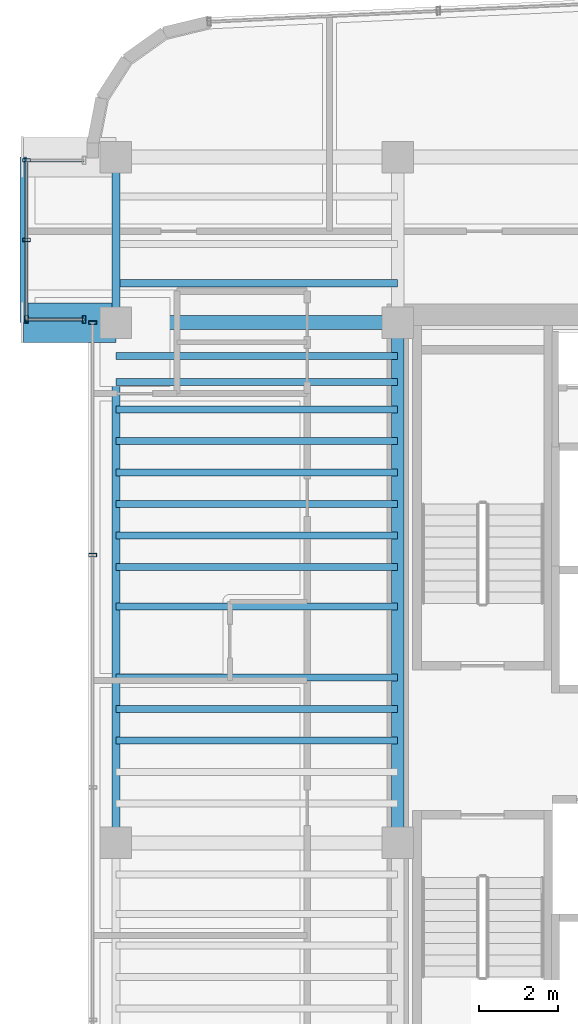
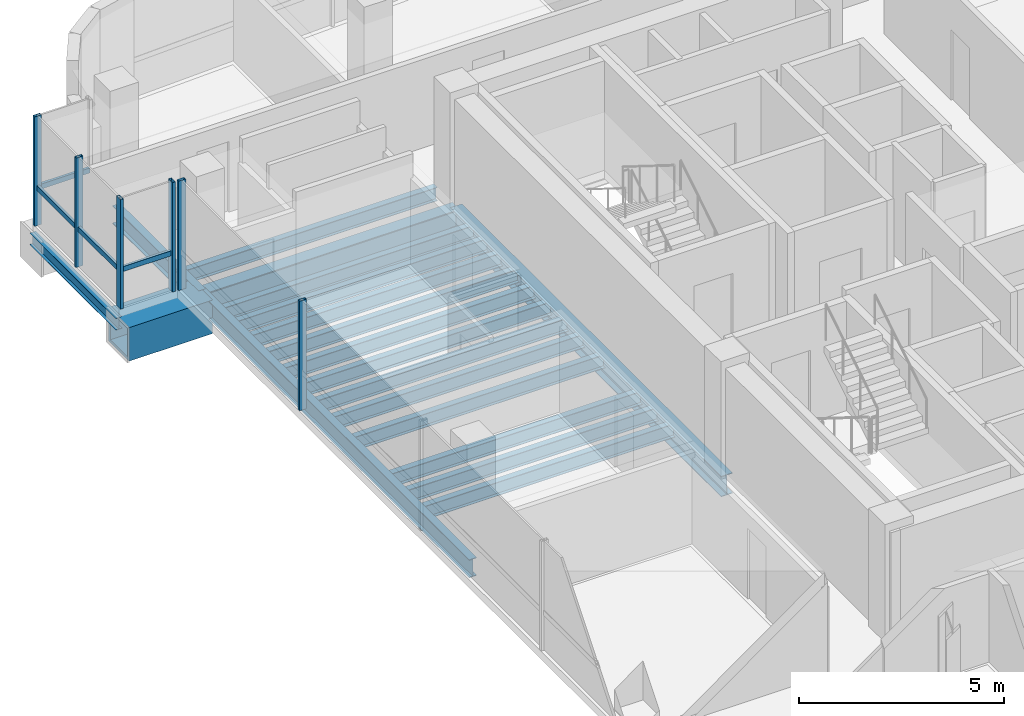
# One storey, part 7 of 21: 19 beams, 9 members, 4 elements without a shape of their own.
"""IFC4 building model written with IfcOpenShell, lengths in metres."""

from ifc_helpers import new_model, si_unit, direction, frame, origin, origin_2d, place, context, subcontext, project, spatial, hollow_rectangle, i_section, extrude, source, transform, mapped, material, material_profile, profile_set, type_object, element, aggregate, save


model = new_model("IFC4")

# Units and contexts
model_context = context("Model", 3, precision=1e-05, world=origin(), true_north=direction((0.0, 1.0)))
body_context = subcontext(model_context, "Body", "Model", "MODEL_VIEW")
ifc_project = project(units=[si_unit("LENGTHUNIT", "METRE"), si_unit("AREAUNIT", "SQUARE_METRE"), si_unit("VOLUMEUNIT", "CUBIC_METRE"), si_unit("PLANEANGLEUNIT", "RADIAN"), si_unit("MASSUNIT", "GRAM", prefix="KILO")], contexts=[model_context])

# Site, building, storey
site_placement = place(None, origin())
site = spatial("IfcSite", under=ifc_project, at=site_placement, CompositionType="ELEMENT")
building_placement = place(site_placement, origin())
building = spatial("IfcBuilding", under=site, at=building_placement, Name="Valdorenza Pilgrim Sanctuary Tower", CompositionType="ELEMENT")
storey_placement = place(building_placement, frame((0.0, 0.0, 254.5)))
storey = spatial("IfcBuildingStorey", under=building, at=storey_placement, Name="L66", CompositionType="ELEMENT", Elevation=254.5)

# Beams
ifc_material_1 = material(Name="Steel ASTM A992 Grade 50", Category="steel")
ifc_material_profile_1 = material_profile(ifc_material_1, i_section(OverallWidth=0.323974609375, OverallDepth=0.611083984375, WebThickness=0.0126953125, FlangeThickness=0.01904296875, at=origin_2d()), Name="W24X104")
ifc_profile_set_1 = profile_set([ifc_material_profile_1], Name="Steel ASTM A992 Grade 50")
beam_type_1 = type_object("IfcBeamType", Name="STR-BM-GRD-W24B", PredefinedType="BEAM", material=ifc_profile_set_1)
shared_shape_1 = source(origin(), body_context, "Body", "SweptSolid", [
    extrude(i_section(OverallWidth=0.323974609375, OverallDepth=0.611083984375, WebThickness=0.0126953125, FlangeThickness=0.01904296875, at=origin_2d()), origin(), (0.0, 0.0, 1.0), 13.2001953125),
])
beam_1_placement = place(storey_placement, frame((-22.64990234375, -2.60009765625, -0.54541015625), z_axis=(0.0, 1.0, 0.0), x_axis=(-1.0, 0.0, 0.0)))
element("IfcBeam", 1, at=beam_1_placement, inside=storey, type_object=beam_type_1, Name="L66 Core Tie Girder CA-W-M0N1", PredefinedType="BEAM", context=body_context, shape_type="MappedRepresentation", body=[
    mapped(shared_shape_1, transform((0.0, 0.0, 0.0), x_axis=(1.0, 0.0, 0.0), y_axis=(0.0, 1.0, 0.0), z_axis=(0.0, 0.0, 1.0), scale=1.0)),
])
ifc_material_profile_2 = material_profile(ifc_material_1, i_section(OverallWidth=0.1708984375, OverallDepth=0.35107421875, WebThickness=0.0068359375, FlangeThickness=0.009765625, at=origin_2d()), Name="W14X30")
ifc_profile_set_2 = profile_set([ifc_material_profile_2], Name="Steel ASTM A992 Grade 50")
beam_type_2 = type_object("IfcBeamType", Name="STR-BM-BOX-W14", PredefinedType="BEAM", material=ifc_profile_set_2)
shared_shape_2 = source(origin(), body_context, "Body", "SweptSolid", [
    extrude(i_section(OverallWidth=0.1708984375, OverallDepth=0.35107421875, WebThickness=0.0068359375, FlangeThickness=0.009765625, at=origin_2d()), origin(), (0.0, 0.0, 1.0), 4.199951171875),
])
beam_2_placement = place(storey_placement, frame((-32.14990234375, 10.60009765625, -0.41552734375), z_axis=(0.0, 1.0, 0.0), x_axis=(-1.0, 0.0, 0.0)))
element("IfcBeam", 2, at=beam_2_placement, inside=storey, type_object=beam_type_2, Name="L66 Glass Box Edge Beam BOX-WA-L66-F", PredefinedType="BEAM", context=body_context, shape_type="MappedRepresentation", body=[
    mapped(shared_shape_2, transform((0.0, 0.0, 0.0), x_axis=(1.0, 0.0, 0.0), y_axis=(0.0, 1.0, 0.0), z_axis=(0.0, 0.0, 1.0), scale=1.0)),
])
ifc_material_profile_3 = material_profile(ifc_material_1, i_section(OverallWidth=0.2109375, OverallDepth=0.5390625, WebThickness=0.01171875, FlangeThickness=0.018798828125, at=origin_2d()), Name="W21X73")
ifc_profile_set_3 = profile_set([ifc_material_profile_3], Name="Steel ASTM A992 Grade 50")
beam_type_3 = type_object("IfcBeamType", Name="STR-BM-SPN-W21B", PredefinedType="SPANDREL", material=ifc_profile_set_3)
shared_shape_3 = source(origin(), body_context, "Body", "SweptSolid", [
    extrude(i_section(OverallWidth=0.2109375, OverallDepth=0.5390625, WebThickness=0.01171875, FlangeThickness=0.018798828125, at=origin_2d()), origin(), (0.0, 0.0, 1.0), 13.2001953125),
])
beam_3_placement = place(storey_placement, frame((-29.800048828125, -2.60009765625, -0.509521484375), z_axis=(0.0, 1.0, 0.0), x_axis=(-1.0, 0.0, 0.0)))
element("IfcBeam", 3, at=beam_3_placement, inside=storey, type_object=beam_type_3, Name="L66 Spandrel Beam WA-W-M0N1", PredefinedType="SPANDREL", context=body_context, shape_type="MappedRepresentation", body=[
    mapped(shared_shape_3, transform((0.0, 0.0, 0.0), x_axis=(1.0, 0.0, 0.0), y_axis=(0.0, 1.0, 0.0), z_axis=(0.0, 0.0, 1.0), scale=1.0)),
])
shared_shape_4 = source(origin(), body_context, "Body", "SweptSolid", [
    extrude(i_section(OverallWidth=0.2109375, OverallDepth=0.5390625, WebThickness=0.01171875, FlangeThickness=0.018798828125, at=origin_2d()), origin(), (0.0, 0.0, 1.0), 4.199951171875),
])
beam_4_placement = place(storey_placement, frame((-29.800048828125, 10.60009765625, -0.509521484375), z_axis=(0.0, 1.0, 0.0), x_axis=(-1.0, 0.0, 0.0)))
element("IfcBeam", 4, at=beam_4_placement, inside=storey, type_object=beam_type_3, Name="L66 Spandrel Beam WA-W-N1N2", PredefinedType="SPANDREL", context=body_context, shape_type="MappedRepresentation", body=[
    mapped(shared_shape_4, transform((0.0, 0.0, 0.0), x_axis=(1.0, 0.0, 0.0), y_axis=(0.0, 1.0, 0.0), z_axis=(0.0, 0.0, 1.0), scale=1.0)),
])
ifc_material_profile_4 = material_profile(ifc_material_1, i_section(OverallWidth=0.35595703125, OverallDepth=0.700927734375, WebThickness=0.016845703125, FlangeThickness=0.02734375, at=origin_2d()), Name="W27X161")
ifc_profile_set_4 = profile_set([ifc_material_profile_4], Name="Steel ASTM A992 Grade 50")
beam_type_4 = type_object("IfcBeamType", Name="STR-BM-GRD-W27", PredefinedType="BEAM", material=ifc_profile_set_4)
shared_shape_5 = source(origin(), body_context, "Body", "SweptSolid", [
    extrude(i_section(OverallWidth=0.35595703125, OverallDepth=0.700927734375, WebThickness=0.016845703125, FlangeThickness=0.02734375, at=origin_2d()), origin(), (0.0, 0.0, 1.0), 7.150146484375),
])
beam_5_placement = place(storey_placement, frame((-29.800048828125, 10.60009765625, -0.590576171875), z_axis=(1.0, 0.0, 0.0), x_axis=(0.0, 1.0, 0.0)))
element("IfcBeam", 5, at=beam_5_placement, inside=storey, type_object=beam_type_4, Name="L66 Floor Girder WA-XW-N1", PredefinedType="BEAM", context=body_context, shape_type="MappedRepresentation", body=[
    mapped(shared_shape_5, transform((0.0, 0.0, 0.0), x_axis=(1.0, 0.0, 0.0), y_axis=(0.0, 1.0, 0.0), z_axis=(0.0, 0.0, 1.0), scale=1.0)),
])
ifc_material_profile_5 = material_profile(ifc_material_1, i_section(OverallWidth=0.177978515625, OverallDepth=0.406005859375, WebThickness=0.0078125, FlangeThickness=0.0126953125, at=origin_2d()), Name="W16X40")
ifc_profile_set_5 = profile_set([ifc_material_profile_5], Name="Steel ASTM A992 Grade 50")
beam_type_5 = type_object("IfcBeamType", Name="STR-BM-JST-W16", PredefinedType="JOIST", material=ifc_profile_set_5)
shared_shape_6 = source(origin(), body_context, "Body", "SweptSolid", [
    extrude(i_section(OverallWidth=0.177978515625, OverallDepth=0.406005859375, WebThickness=0.0078125, FlangeThickness=0.0126953125, at=origin_2d()), origin(), (0.0, 0.0, 1.0), 7.150146484375),
])
for number, where, z_axis, x_axis, name in (
    (6, (-29.800048828125, 0.0, -0.443115234375), (1.0, 0.0, 0.0), (0.0, 1.0, 0.0), "L66 Composite Floor Joist JST-WA-12"),
    (7, (-29.800048828125, 0.800048828125, -0.443115234375), (1.0, 0.0, 0.0), (0.0, 1.0, 0.0), "L66 Composite Floor Joist JST-WA-13"),
    (8, (-29.800048828125, 1.60009765625, -0.443115234375), (1.0, 0.0, 0.0), (0.0, 1.0, 0.0), "L66 Composite Floor Joist JST-WA-14"),
    (9, (-29.800048828125, 3.39990234375, -0.443115234375), (1.0, 0.0, 0.0), (0.0, 1.0, 0.0), "L66 Composite Floor Joist JST-WA-15"),
    (10, (-29.800048828125, 4.39990234375, -0.443115234375), (1.0, 0.0, 0.0), (0.0, 1.0, 0.0), "L66 Composite Floor Joist JST-WA-16"),
    (11, (-29.800048828125, 5.199951171875, -0.443115234375), (1.0, 0.0, 0.0), (0.0, 1.0, 0.0), "L66 Composite Floor Joist JST-WA-17"),
    (12, (-29.800048828125, 6.0, -0.443115234375), (1.0, 0.0, 0.0), (0.0, 1.0, 0.0), "L66 Composite Floor Joist JST-WA-18"),
    (13, (-29.800048828125, 6.800048828125, -0.443115234375), (1.0, 0.0, 0.0), (0.0, 1.0, 0.0), "L66 Composite Floor Joist JST-WA-19"),
    (14, (-29.800048828125, 7.60009765625, -0.443115234375), (1.0, 0.0, 0.0), (0.0, 1.0, 0.0), "L66 Composite Floor Joist JST-WA-20"),
    (15, (-29.800048828125, 8.39990234375, -0.443115234375), (1.0, 0.0, 0.0), (0.0, 1.0, 0.0), "L66 Composite Floor Joist JST-WA-21"),
    (16, (-29.800048828125, 9.10009765625, -0.443115234375), (1.0, 0.0, 0.0), (0.0, 1.0, 0.0), "L66 Composite Floor Joist JST-WA-22"),
    (17, (-29.800048828125, 9.75, -0.443115234375), (1.0, 0.0, 0.0), (0.0, 1.0, 0.0), "L66 Composite Floor Joist JST-WA-23"),
    (18, (-29.800048828125, 11.60009765625, -0.443115234375), (1.0, 0.0, 0.0), (0.0, 1.0, 0.0), "L66 Composite Floor Joist JST-WA-24"),
):
    element("IfcBeam", number, at=place(storey_placement, frame(where, z_axis=z_axis, x_axis=x_axis)), inside=storey, type_object=beam_type_5, Name=name, PredefinedType="JOIST", context=body_context, shape_type="MappedRepresentation", body=[
        mapped(shared_shape_6, transform((0.0, 0.0, 0.0), x_axis=(1.0, 0.0, 0.0), y_axis=(0.0, 1.0, 0.0), z_axis=(0.0, 0.0, 1.0), scale=1.0)),
    ])
ifc_material_2 = material(Name="Steel ASTM A572 Grade 42", Category="steel")
ifc_material_profile_6 = material_profile(ifc_material_2, hollow_rectangle(XDim=1.0, YDim=1.0, WallThickness=0.080078125, at=origin_2d()), Name="BOX 1000x1000x80")
ifc_profile_set_6 = profile_set([ifc_material_profile_6], Name="Steel ASTM A572 Grade 42")
beam_type_6 = type_object("IfcBeamType", Name="STR-BM-PROW-CANT", PredefinedType="BEAM", material=ifc_profile_set_6)
shared_shape_7 = source(origin(), body_context, "Body", "SweptSolid", [
    extrude(hollow_rectangle(XDim=1.0, YDim=1.0, WallThickness=0.080078125, at=origin_2d()), origin(), (0.0, 0.0, 1.0), 2.349853515625),
])
beam_6_placement = place(storey_placement, frame((-29.800048828125, 10.60009765625, -0.739990234375), z_axis=(-1.0, 0.0, 0.0), x_axis=(0.0, -1.0, 0.0)))
element("IfcBeam", 19, at=beam_6_placement, inside=storey, type_object=beam_type_6, Name="L66 Glass Box Cantilever Beam BOX-WA-L66-CT-S", PredefinedType="BEAM", context=body_context, shape_type="MappedRepresentation", body=[
    mapped(shared_shape_7, transform((0.0, 0.0, 0.0), x_axis=(1.0, 0.0, 0.0), y_axis=(0.0, 1.0, 0.0), z_axis=(0.0, 0.0, 1.0), scale=1.0)),
])

# Curtain wall, member
ifc_material_3 = material(Name="Curtain-wall IGU glazing", Category="glass")
curtain_wall_type = type_object("IfcCurtainWallType", Name="CW-SYS-02", PredefinedType="NOTDEFINED", material=ifc_material_3)
curtain_wall_1_placement = place(storey_placement, origin())
curtain_wall_1 = element("IfcCurtainWall", 20, at=curtain_wall_1_placement, inside=storey, type_object=curtain_wall_type, Name="L66 Curtain Wall CW-L66-BOX-WA-L66-S", PredefinedType="NOTDEFINED")
ifc_material_4 = material(Name="Anodised aluminium AW-6060", Category="aluminium")
ifc_material_profile_7 = material_profile(ifc_material_4, hollow_rectangle(XDim=0.074951171875, YDim=0.14990234375, WallThickness=0.00390625, at=origin_2d()), Name="ALU-T 150x75x4")
ifc_profile_set_7 = profile_set([ifc_material_profile_7], Name="Anodised aluminium AW-6060")
member_type_1 = type_object("IfcMemberType", Name="CW-TRN-02", PredefinedType="USERDEFINED", material=ifc_profile_set_7)
shared_shape_8 = source(origin(), body_context, "Body", "SweptSolid", [
    extrude(hollow_rectangle(XDim=0.074951171875, YDim=0.14990234375, WallThickness=0.00390625, at=origin_2d()), origin(), (0.0, 0.0, 1.0), 1.4599609375),
])
member_1_placement = place(storey_placement, frame((-30.610107421875, 10.679931640625, 1.1201171875), z_axis=(-1.0, 0.0, 0.0), x_axis=(0.0, -1.0, 0.0)))
member_1 = element("IfcMember", 21, at=member_1_placement, type_object=member_type_1, Name="CW-L66-BOX-WA-L66-S Transom 1", ObjectType="TRANSOM", PredefinedType="USERDEFINED", context=body_context, shape_type="MappedRepresentation", body=[
    mapped(shared_shape_8, transform((0.0, 0.0, 0.0), x_axis=(1.0, 0.0, 0.0), y_axis=(0.0, 1.0, 0.0), z_axis=(0.0, 0.0, 1.0), scale=1.0)),
])

curtain_wall_2_placement = place(storey_placement, origin())
curtain_wall_2 = element("IfcCurtainWall", 22, at=curtain_wall_2_placement, inside=storey, type_object=curtain_wall_type, Name="L66 Curtain Wall CW-L66-BOX-WA-L66-N", PredefinedType="NOTDEFINED")
member_2_placement = place(storey_placement, frame((-32.070068359375, 14.719970703125, 1.1201171875), z_axis=(1.0, 0.0, 0.0), x_axis=(0.0, 1.0, 0.0)))
member_2 = element("IfcMember", 23, at=member_2_placement, type_object=member_type_1, Name="CW-L66-BOX-WA-L66-N Transom 1", ObjectType="TRANSOM", PredefinedType="USERDEFINED", context=body_context, shape_type="MappedRepresentation", body=[
    mapped(shared_shape_8, transform((0.0, 0.0, 0.0), x_axis=(1.0, 0.0, 0.0), y_axis=(0.0, 1.0, 0.0), z_axis=(0.0, 0.0, 1.0), scale=1.0)),
])
aggregate(curtain_wall_2, [member_2])

curtain_wall_3_placement = place(storey_placement, origin())
curtain_wall_3 = element("IfcCurtainWall", 24, at=curtain_wall_3_placement, inside=storey, type_object=curtain_wall_type, Name="L66 Curtain Wall CW-L66-BOX-WA-L66-F", PredefinedType="NOTDEFINED")
shared_shape_9 = source(origin(), body_context, "Body", "SweptSolid", [
    extrude(hollow_rectangle(XDim=0.074951171875, YDim=0.14990234375, WallThickness=0.00390625, at=origin_2d()), origin(), (0.0, 0.0, 1.0), 4.0400390625),
])
member_3_placement = place(storey_placement, frame((-32.070068359375, 10.679931640625, 1.1201171875), z_axis=(0.0, 1.0, 0.0), x_axis=(-1.0, 0.0, 0.0)))
member_3 = element("IfcMember", 25, at=member_3_placement, type_object=member_type_1, Name="CW-L66-BOX-WA-L66-F Transom 1", ObjectType="TRANSOM", PredefinedType="USERDEFINED", context=body_context, shape_type="MappedRepresentation", body=[
    mapped(shared_shape_9, transform((0.0, 0.0, 0.0), x_axis=(1.0, 0.0, 0.0), y_axis=(0.0, 1.0, 0.0), z_axis=(0.0, 0.0, 1.0), scale=1.0)),
])

# Curtain wall, members
curtain_wall_4_placement = place(storey_placement, origin())
curtain_wall_4 = element("IfcCurtainWall", 26, at=curtain_wall_4_placement, inside=storey, type_object=curtain_wall_type, Name="L66 Curtain Wall CW-L66-1-1S1", PredefinedType="NOTDEFINED")
ifc_material_profile_8 = material_profile(ifc_material_4, hollow_rectangle(XDim=0.0849609375, YDim=0.199951171875, WallThickness=0.0048828125, at=origin_2d()), Name="ALU-M 200x85x5")
ifc_profile_set_8 = profile_set([ifc_material_profile_8], Name="Anodised aluminium AW-6060")
member_type_2 = type_object("IfcMemberType", Name="CW-MUL-02", PredefinedType="MULLION", material=ifc_profile_set_8)
shared_shape_10 = source(origin(), body_context, "Body", "SweptSolid", [
    extrude(hollow_rectangle(XDim=0.0849609375, YDim=0.199951171875, WallThickness=0.0048828125, at=origin_2d()), origin(), (0.0, 0.0, 1.0), 3.260009765625),
])
member_4_placement = place(storey_placement, frame((-30.389892578125, 4.70263671875, 0.0), z_axis=(0.0, 0.0, 1.0), x_axis=(0.0, 1.0, 0.0)))
member_4 = element("IfcMember", 27, at=member_4_placement, type_object=member_type_2, Name="CW-L66-1-1S1 Mullion 4", PredefinedType="MULLION", context=body_context, shape_type="MappedRepresentation", body=[
    mapped(shared_shape_10, transform((0.0, 0.0, 0.0), x_axis=(1.0, 0.0, 0.0), y_axis=(0.0, 1.0, 0.0), z_axis=(0.0, 0.0, 1.0), scale=1.0)),
])
member_5_placement = place(storey_placement, frame((-30.389892578125, 10.60009765625, 0.0), z_axis=(0.0, 0.0, 1.0), x_axis=(0.0, 1.0, 0.0)))
member_5 = element("IfcMember", 28, at=member_5_placement, type_object=member_type_2, Name="CW-L66-1-1S1 Mullion 5", PredefinedType="MULLION", context=body_context, shape_type="MappedRepresentation", body=[
    mapped(shared_shape_10, transform((0.0, 0.0, 0.0), x_axis=(1.0, 0.0, 0.0), y_axis=(0.0, 1.0, 0.0), z_axis=(0.0, 0.0, 1.0), scale=1.0)),
])
aggregate(curtain_wall_4, [member_4, member_5])

# Member
member_6_placement = place(storey_placement, frame((-30.610107421875, 10.679931640625, 0.0), z_axis=(0.0, 0.0, 1.0), x_axis=(-1.0, 0.0, 0.0)))
member_6 = element("IfcMember", 29, at=member_6_placement, type_object=member_type_2, Name="CW-L66-BOX-WA-L66-S Mullion 1", PredefinedType="MULLION", context=body_context, shape_type="MappedRepresentation", body=[
    mapped(shared_shape_10, transform((0.0, 0.0, 0.0), x_axis=(1.0, 0.0, 0.0), y_axis=(0.0, 1.0, 0.0), z_axis=(0.0, 0.0, 1.0), scale=1.0)),
])

member_7_placement = place(storey_placement, frame((-32.070068359375, 10.679931640625, 0.0), z_axis=(0.0, 0.0, 1.0), x_axis=(-1.0, 0.0, 0.0)))
member_7 = element("IfcMember", 30, at=member_7_placement, type_object=member_type_2, Name="CW-L66-BOX-WA-L66-S Mullion 2", PredefinedType="MULLION", context=body_context, shape_type="MappedRepresentation", body=[
    mapped(shared_shape_10, transform((0.0, 0.0, 0.0), x_axis=(1.0, 0.0, 0.0), y_axis=(0.0, 1.0, 0.0), z_axis=(0.0, 0.0, 1.0), scale=1.0)),
])

aggregate(curtain_wall_1, [member_6, member_7, member_1])

member_8_placement = place(storey_placement, frame((-32.070068359375, 12.699951171875, 0.0), z_axis=(0.0, 0.0, 1.0), x_axis=(0.0, 1.0, 0.0)))
member_8 = element("IfcMember", 31, at=member_8_placement, type_object=member_type_2, Name="CW-L66-BOX-WA-L66-F Mullion 2", PredefinedType="MULLION", context=body_context, shape_type="MappedRepresentation", body=[
    mapped(shared_shape_10, transform((0.0, 0.0, 0.0), x_axis=(1.0, 0.0, 0.0), y_axis=(0.0, 1.0, 0.0), z_axis=(0.0, 0.0, 1.0), scale=1.0)),
])

member_9_placement = place(storey_placement, frame((-32.070068359375, 14.719970703125, 0.0), z_axis=(0.0, 0.0, 1.0), x_axis=(0.0, 1.0, 0.0)))
member_9 = element("IfcMember", 32, at=member_9_placement, type_object=member_type_2, Name="CW-L66-BOX-WA-L66-F Mullion 3", PredefinedType="MULLION", context=body_context, shape_type="MappedRepresentation", body=[
    mapped(shared_shape_10, transform((0.0, 0.0, 0.0), x_axis=(1.0, 0.0, 0.0), y_axis=(0.0, 1.0, 0.0), z_axis=(0.0, 0.0, 1.0), scale=1.0)),
])

aggregate(curtain_wall_3, [member_8, member_9, member_3])

save(model, "model.ifc")
